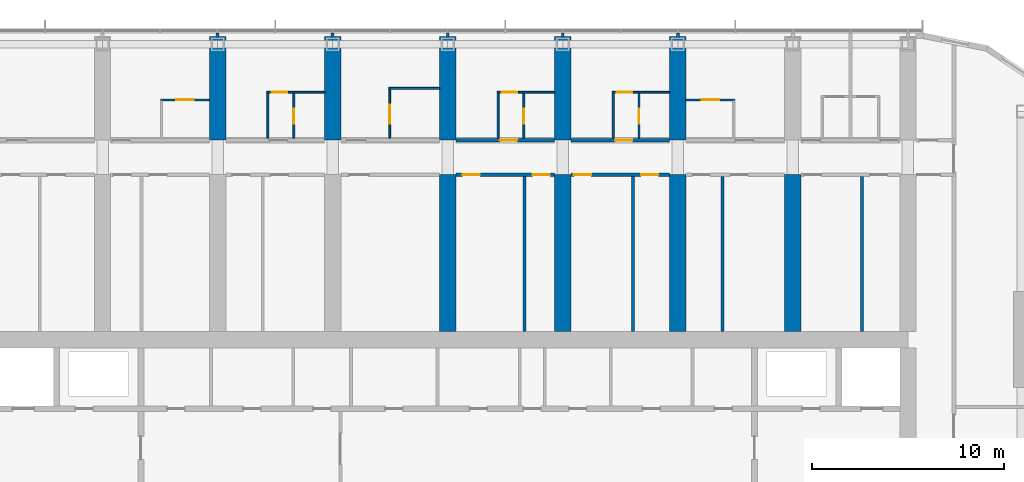
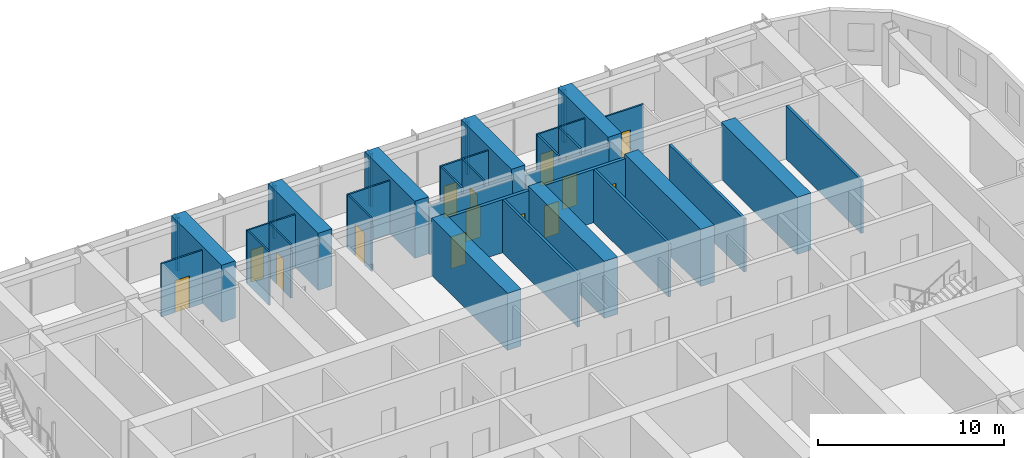
# One storey, part 20 of 29: 35 walls, 15 doors, 15 openings.
"""IFC4 building model written with IfcOpenShell, lengths in metres."""

from ifc_helpers import new_model, si_unit, direction, frame, frame_2d, origin, place, context, subcontext, project, spatial, polyline, rectangle, outline, extrude, material, layer, layer_set, type_object, element, fill, save


model = new_model("IFC4")

# Units and contexts
model_context = context("Model", 3, precision=1e-05, world=origin(), true_north=direction((0.0, 1.0)))
body_context = subcontext(model_context, "Body", "Model", "MODEL_VIEW")
ifc_project = project(units=[si_unit("LENGTHUNIT", "METRE"), si_unit("AREAUNIT", "SQUARE_METRE"), si_unit("VOLUMEUNIT", "CUBIC_METRE"), si_unit("PLANEANGLEUNIT", "RADIAN"), si_unit("MASSUNIT", "GRAM", prefix="KILO")], contexts=[model_context])

# Site, building, storey
site_placement = place(None, origin())
site = spatial("IfcSite", under=ifc_project, at=site_placement, CompositionType="ELEMENT")
building_placement = place(site_placement, origin())
building = spatial("IfcBuilding", under=site, at=building_placement, Name="Orbita Commons", CompositionType="ELEMENT")
storey_placement = place(building_placement, frame((0.0, 0.0, 163.60009765625)))
storey = spatial("IfcBuildingStorey", under=building, at=storey_placement, Name="L40", CompositionType="ELEMENT", Elevation=163.60009765625)

# Wall, opening, door
ifc_material_1 = material(Name="Concrete blockwork", Category="masonry")
ifc_layer_1 = layer(ifc_material_1, 0.199951171875)
ifc_layer_set_1 = layer_set([ifc_layer_1], Name="Concrete blockwork")
wall_type_1 = type_object("IfcWallType", Name="Corridor wall 200 blockwork", PredefinedType="SOLIDWALL", material=ifc_layer_set_1)
wall_1_placement = place(storey_placement, frame((42.425048828125, 48.60009765625, 0.0), z_axis=(0.0, 0.0, 1.0), x_axis=(1.0, 0.0, 0.0)))
wall_1 = element("IfcWall", 1, at=wall_1_placement, inside=storey, type_object=wall_type_1, Name="Corridor wall 200 blockwork L40", PredefinedType="SOLIDWALL", context=body_context, shape_type="SweptSolid", body=[
    extrude(outline(polyline([(0.0, 0.0), (5.14990234375, 0.0), (5.14990234375, 3.099853515625), (0.0, 3.099853515625), (0.0, 0.0)])), frame((0.0, 0.10009765625, 0.0), z_axis=(0.0, -1.0, 0.0), x_axis=(1.0, 0.0, 0.0)), (0.0, 0.0, 1.0), 0.199951171875),
])
opening_1_placement = place(wall_1_placement, frame((2.300048828125, 0.0, 0.0)))
opening_1 = element("IfcOpeningElement", 2, at=opening_1_placement, cuts=wall_1, Name="Opening D11", PredefinedType="OPENING", context=body_context, shape_type="SweptSolid", body=[
    extrude(rectangle(XDim=0.89990234375, YDim=2.10009765625, at=frame_2d((0.449951171875, 1.050048828125))), frame((0.0, 0.10986328125, 0.0), z_axis=(0.0, -1.0, 0.0), x_axis=(1.0, 0.0, 0.0)), (0.0, 0.0, 1.0), 0.219970703125),
])
ifc_material_2 = material(Name="Steel-faced fire door leaf", Category="steel")
door_type_1 = type_object("IfcDoorType", Name="Corridor door 20 min 900x2100", OperationType="SINGLE_SWING_LEFT", PredefinedType="DOOR", material=ifc_material_2)
door_1_placement = place(opening_1_placement, origin())
door_1 = element("IfcDoor", 3, at=door_1_placement, inside=storey, type_object=door_type_1, Name="Studio flat L40-N08 entrance door", OperationType="SINGLE_SWING_LEFT", OverallHeight=2.10009765625, OverallWidth=0.89990234375, PredefinedType="DOOR", context=body_context, shape_type="SweptSolid", body=[
    extrude(rectangle(XDim=0.89990234375, YDim=2.10009765625, at=frame_2d((0.449951171875, 1.050048828125))), frame((0.0, 0.02490234375, 0.0), z_axis=(0.0, -1.0, 0.0), x_axis=(1.0, 0.0, 0.0)), (0.0, 0.0, 1.0), 0.050048828125),
])
fill(opening_1, door_1)

wall_2_placement = place(storey_placement, frame((48.425048828125, 48.60009765625, 0.0), z_axis=(0.0, 0.0, 1.0), x_axis=(1.0, 0.0, 0.0)))
wall_2 = element("IfcWall", 4, at=wall_2_placement, inside=storey, type_object=wall_type_1, Name="Corridor wall 200 blockwork L40", PredefinedType="SOLIDWALL", context=body_context, shape_type="SweptSolid", body=[
    extrude(outline(polyline([(0.0, 0.0), (5.14990234375, 0.0), (5.14990234375, 3.099853515625), (0.0, 3.099853515625), (0.0, 0.0)])), frame((0.0, 0.10009765625, 0.0), z_axis=(0.0, -1.0, 0.0), x_axis=(1.0, 0.0, 0.0)), (0.0, 0.0, 1.0), 0.199951171875),
])
opening_2_placement = place(wall_2_placement, frame((2.300048828125, 0.0, 0.0)))
opening_2 = element("IfcOpeningElement", 5, at=opening_2_placement, cuts=wall_2, Name="Opening D11", PredefinedType="OPENING", context=body_context, shape_type="SweptSolid", body=[
    extrude(rectangle(XDim=0.89990234375, YDim=2.10009765625, at=frame_2d((0.449951171875, 1.050048828125))), frame((0.0, 0.10986328125, 0.0), z_axis=(0.0, -1.0, 0.0), x_axis=(1.0, 0.0, 0.0)), (0.0, 0.0, 1.0), 0.219970703125),
])
door_2_placement = place(opening_2_placement, origin())
door_2 = element("IfcDoor", 6, at=door_2_placement, inside=storey, type_object=door_type_1, Name="Studio flat L40-N10 entrance door", OperationType="SINGLE_SWING_LEFT", OverallHeight=2.10009765625, OverallWidth=0.89990234375, PredefinedType="DOOR", context=body_context, shape_type="SweptSolid", body=[
    extrude(rectangle(XDim=0.89990234375, YDim=2.10009765625, at=frame_2d((0.449951171875, 1.050048828125))), frame((0.0, 0.02490234375, 0.0), z_axis=(0.0, -1.0, 0.0), x_axis=(1.0, 0.0, 0.0)), (0.0, 0.0, 1.0), 0.050048828125),
])
fill(opening_2, door_2)

# Wall, openings, doors
ifc_material_3 = material(Name="Hollow concrete block 200", Category="concrete")
ifc_layer_2 = layer(ifc_material_3, 0.199951171875)
ifc_layer_set_2 = layer_set([ifc_layer_2], Name="Hollow concrete block 200")
wall_type_2 = type_object("IfcWallType", Name="Corridor wall 200 hollow concrete block", PredefinedType="SOLIDWALL", material=ifc_layer_set_2)
wall_3_placement = place(storey_placement, frame((42.425048828125, 46.800048828125, 0.0), z_axis=(0.0, 0.0, 1.0), x_axis=(1.0, 0.0, 0.0)))
wall_3 = element("IfcWall", 7, at=wall_3_placement, inside=storey, type_object=wall_type_2, Name="Corridor wall 200 hollow concrete block L40", PredefinedType="SOLIDWALL", context=body_context, shape_type="SweptSolid", body=[
    extrude(rectangle(XDim=5.14990234375, YDim=0.199951171875, at=frame_2d((2.574951171875, 0.0))), origin(), (0.0, 0.0, 1.0), 3.5),
])
opening_3_placement = place(wall_3_placement, frame((0.35009765625, 0.0, 0.0)))
opening_3 = element("IfcOpeningElement", 8, at=opening_3_placement, cuts=wall_3, Name="Opening D11", PredefinedType="OPENING", context=body_context, shape_type="SweptSolid", body=[
    extrude(rectangle(XDim=0.89990234375, YDim=2.10009765625, at=frame_2d((0.449951171875, 1.050048828125))), frame((0.0, 0.10986328125, 0.0), z_axis=(0.0, -1.0, 0.0), x_axis=(1.0, 0.0, 0.0)), (0.0, 0.0, 1.0), 0.219970703125),
])
opening_4_placement = place(wall_3_placement, frame((4.0048828125, 0.0, 0.0)))
opening_4 = element("IfcOpeningElement", 9, at=opening_4_placement, cuts=wall_3, Name="Opening D11", PredefinedType="OPENING", context=body_context, shape_type="SweptSolid", body=[
    extrude(rectangle(XDim=0.89990234375, YDim=2.10009765625, at=frame_2d((0.449951171875, 1.050048828125))), frame((0.0, 0.10986328125, 0.0), z_axis=(0.0, -1.0, 0.0), x_axis=(1.0, 0.0, 0.0)), (0.0, 0.0, 1.0), 0.219970703125),
])
door_3_placement = place(opening_3_placement, origin())
door_3 = element("IfcDoor", 10, at=door_3_placement, inside=storey, type_object=door_type_1, Name="Parcel and post room L40-BDN42 door", OperationType="SINGLE_SWING_LEFT", OverallHeight=2.10009765625, OverallWidth=0.89990234375, PredefinedType="DOOR", context=body_context, shape_type="SweptSolid", body=[
    extrude(rectangle(XDim=0.89990234375, YDim=2.10009765625, at=frame_2d((0.449951171875, 1.050048828125))), frame((0.0, 0.02490234375, 0.0), z_axis=(0.0, -1.0, 0.0), x_axis=(1.0, 0.0, 0.0)), (0.0, 0.0, 1.0), 0.050048828125),
])
fill(opening_3, door_3)
door_4_placement = place(opening_4_placement, origin())
door_4 = element("IfcDoor", 11, at=door_4_placement, inside=storey, type_object=door_type_1, Name="Riser access cupboard L40-BDN42n door", OperationType="SINGLE_SWING_LEFT", OverallHeight=2.10009765625, OverallWidth=0.89990234375, PredefinedType="DOOR", context=body_context, shape_type="SweptSolid", body=[
    extrude(rectangle(XDim=0.89990234375, YDim=2.10009765625, at=frame_2d((0.449951171875, 1.050048828125))), frame((0.0, 0.02490234375, 0.0), z_axis=(0.0, -1.0, 0.0), x_axis=(1.0, 0.0, 0.0)), (0.0, 0.0, 1.0), 0.050048828125),
])
fill(opening_4, door_4)

wall_4_placement = place(storey_placement, frame((48.425048828125, 46.800048828125, 0.0), z_axis=(0.0, 0.0, 1.0), x_axis=(1.0, 0.0, 0.0)))
wall_4 = element("IfcWall", 12, at=wall_4_placement, inside=storey, type_object=wall_type_2, Name="Corridor wall 200 hollow concrete block L40", PredefinedType="SOLIDWALL", context=body_context, shape_type="SweptSolid", body=[
    extrude(rectangle(XDim=5.14990234375, YDim=0.199951171875, at=frame_2d((2.574951171875, 0.0))), origin(), (0.0, 0.0, 1.0), 3.5),
])
opening_5_placement = place(wall_4_placement, frame((0.14990234375, 0.0, 0.0)))
opening_5 = element("IfcOpeningElement", 13, at=opening_5_placement, cuts=wall_4, Name="Opening D11", PredefinedType="OPENING", context=body_context, shape_type="SweptSolid", body=[
    extrude(rectangle(XDim=0.89990234375, YDim=2.10009765625, at=frame_2d((0.449951171875, 1.050048828125))), frame((0.0, 0.10986328125, 0.0), z_axis=(0.0, -1.0, 0.0), x_axis=(1.0, 0.0, 0.0)), (0.0, 0.0, 1.0), 0.219970703125),
])
opening_6_placement = place(wall_4_placement, frame((3.655029296875, 0.0, 0.0)))
opening_6 = element("IfcOpeningElement", 14, at=opening_6_placement, cuts=wall_4, Name="Opening D11", PredefinedType="OPENING", context=body_context, shape_type="SweptSolid", body=[
    extrude(rectangle(XDim=0.89990234375, YDim=2.10009765625, at=frame_2d((0.449951171875, 1.050048828125))), frame((0.0, 0.10986328125, 0.0), z_axis=(0.0, -1.0, 0.0), x_axis=(1.0, 0.0, 0.0)), (0.0, 0.0, 1.0), 0.219970703125),
])
door_5_placement = place(opening_5_placement, origin())
door_5 = element("IfcDoor", 15, at=door_5_placement, inside=storey, type_object=door_type_1, Name="Drying room L40-BDN48 door", OperationType="SINGLE_SWING_LEFT", OverallHeight=2.10009765625, OverallWidth=0.89990234375, PredefinedType="DOOR", context=body_context, shape_type="SweptSolid", body=[
    extrude(rectangle(XDim=0.89990234375, YDim=2.10009765625, at=frame_2d((0.449951171875, 1.050048828125))), frame((0.0, 0.02490234375, 0.0), z_axis=(0.0, -1.0, 0.0), x_axis=(1.0, 0.0, 0.0)), (0.0, 0.0, 1.0), 0.050048828125),
])
fill(opening_5, door_5)
door_6_placement = place(opening_6_placement, origin())
door_6 = element("IfcDoor", 16, at=door_6_placement, inside=storey, type_object=door_type_1, Name="Water heater cupboard L40-BDN48n door", OperationType="SINGLE_SWING_LEFT", OverallHeight=2.10009765625, OverallWidth=0.89990234375, PredefinedType="DOOR", context=body_context, shape_type="SweptSolid", body=[
    extrude(rectangle(XDim=0.89990234375, YDim=2.10009765625, at=frame_2d((0.449951171875, 1.050048828125))), frame((0.0, 0.02490234375, 0.0), z_axis=(0.0, -1.0, 0.0), x_axis=(1.0, 0.0, 0.0)), (0.0, 0.0, 1.0), 0.050048828125),
])
fill(opening_6, door_6)

# Walls
ifc_material_4 = material(Name="Concrete C50/60", Category="concrete")
ifc_layer_3 = layer(ifc_material_4, 0.85009765625)
ifc_layer_set_3 = layer_set([ifc_layer_3], Name="Concrete C50/60")
wall_type_3 = type_object("IfcWallType", Name="Cross wall 850 C50/60", PredefinedType="SHEAR", material=ifc_layer_set_3)
for number, where, z_axis, x_axis, name in (
    (17, (30.0, 48.60009765625, 0.0), (0.0, 0.0, 1.0), (0.0, 1.0, 0.0), "Cross wall 6 north outer L40"),
    (18, (36.0, 48.60009765625, 0.0), (0.0, 0.0, 1.0), (0.0, 1.0, 0.0), "Cross wall 7 north outer L40"),
    (19, (42.0, 48.60009765625, 0.0), (0.0, 0.0, 1.0), (0.0, 1.0, 0.0), "Cross wall 8 north outer L40"),
):
    element("IfcWall", number, at=place(storey_placement, frame(where, z_axis=z_axis, x_axis=x_axis)), inside=storey, type_object=wall_type_3, Name=name, PredefinedType="SHEAR", context=body_context, shape_type="SweptSolid", body=[
        extrude(rectangle(XDim=5.39990234375, YDim=0.85009765625, at=frame_2d((2.699951171875, 0.0))), origin(), (0.0, 0.0, 1.0), 3.75),
    ])
wall_5_placement = place(storey_placement, frame((42.0, 38.625, 0.0), z_axis=(0.0, 0.0, 1.0), x_axis=(0.0, 1.0, 0.0)))
element("IfcWall", 20, at=wall_5_placement, inside=storey, type_object=wall_type_3, Name="Cross wall 8 north inner L40", PredefinedType="SHEAR", context=body_context, shape_type="SweptSolid", body=[
    extrude(rectangle(XDim=8.175048828125, YDim=0.85009765625, at=frame_2d((4.08740234375, 0.0))), origin(), (0.0, 0.0, 1.0), 3.75),
])
wall_6_placement = place(storey_placement, frame((48.0, 48.60009765625, 0.0), z_axis=(0.0, 0.0, 1.0), x_axis=(0.0, 1.0, 0.0)))
element("IfcWall", 21, at=wall_6_placement, inside=storey, type_object=wall_type_3, Name="Cross wall 9 north outer L40", PredefinedType="SHEAR", context=body_context, shape_type="SweptSolid", body=[
    extrude(rectangle(XDim=5.39990234375, YDim=0.85009765625, at=frame_2d((2.699951171875, 0.0))), origin(), (0.0, 0.0, 1.0), 3.75),
])
wall_7_placement = place(storey_placement, frame((48.0, 38.625, 0.0), z_axis=(0.0, 0.0, 1.0), x_axis=(0.0, 1.0, 0.0)))
element("IfcWall", 22, at=wall_7_placement, inside=storey, type_object=wall_type_3, Name="Cross wall 9 north inner L40", PredefinedType="SHEAR", context=body_context, shape_type="SweptSolid", body=[
    extrude(rectangle(XDim=8.175048828125, YDim=0.85009765625, at=frame_2d((4.08740234375, 0.0))), origin(), (0.0, 0.0, 1.0), 3.75),
])
wall_8_placement = place(storey_placement, frame((54.0, 48.60009765625, 0.0), z_axis=(0.0, 0.0, 1.0), x_axis=(0.0, 1.0, 0.0)))
element("IfcWall", 23, at=wall_8_placement, inside=storey, type_object=wall_type_3, Name="Cross wall 10 north outer L40", PredefinedType="SHEAR", context=body_context, shape_type="SweptSolid", body=[
    extrude(rectangle(XDim=5.39990234375, YDim=0.85009765625, at=frame_2d((2.699951171875, 0.0))), origin(), (0.0, 0.0, 1.0), 3.75),
])
for number, where, z_axis, x_axis, name in (
    (24, (54.0, 38.625, 0.0), (0.0, 0.0, 1.0), (0.0, 1.0, 0.0), "Cross wall 10 north inner L40"),
    (25, (60.0, 38.625, 0.0), (0.0, 0.0, 1.0), (0.0, 1.0, 0.0), "Cross wall 11 north inner L40"),
):
    element("IfcWall", number, at=place(storey_placement, frame(where, z_axis=z_axis, x_axis=x_axis)), inside=storey, type_object=wall_type_3, Name=name, PredefinedType="SHEAR", context=body_context, shape_type="SweptSolid", body=[
        extrude(rectangle(XDim=8.175048828125, YDim=0.85009765625, at=frame_2d((4.08740234375, 0.0))), origin(), (0.0, 0.0, 1.0), 3.75),
    ])

# Wall, opening, door
ifc_material_5 = material(Name="Moisture-resistant plasterboard on steel studs", Category="steel")
ifc_layer_4 = layer(ifc_material_5, 0.10009765625)
ifc_layer_set_4 = layer_set([ifc_layer_4], Name="Moisture-resistant plasterboard on steel studs")
wall_type_4 = type_object("IfcWallType", Name="En-suite partition 100", PredefinedType="PARTITIONING", material=ifc_layer_set_4)
wall_9_placement = place(storey_placement, frame((27.02490234375, 50.699951171875, 0.0), z_axis=(0.0, 0.0, 1.0), x_axis=(1.0, 0.0, 0.0)))
wall_9 = element("IfcWall", 26, at=wall_9_placement, inside=storey, type_object=wall_type_4, Name="En-suite partition 100 L40", PredefinedType="PARTITIONING", context=body_context, shape_type="SweptSolid", body=[
    extrude(rectangle(XDim=2.550048828125, YDim=0.10009765625, at=frame_2d((1.27490234375, 0.0))), origin(), (0.0, 0.0, 1.0), 3.5),
])
opening_7_placement = place(wall_9_placement, frame((0.824951171875, 0.0, 0.0)))
opening_7 = element("IfcOpeningElement", 27, at=opening_7_placement, cuts=wall_9, Name="Opening D09", PredefinedType="OPENING", context=body_context, shape_type="SweptSolid", body=[
    extrude(rectangle(XDim=0.89990234375, YDim=2.10009765625, at=frame_2d((0.449951171875, 1.050048828125))), frame((0.0, 0.06005859375, 0.0), z_axis=(0.0, -1.0, 0.0), x_axis=(1.0, 0.0, 0.0)), (0.0, 0.0, 1.0), 0.1201171875),
])
ifc_material_6 = material(Name="Laminated timber door leaf", Category="wood")
door_type_2 = type_object("IfcDoorType", Name="En-suite door 900x2100", OperationType="SINGLE_SWING_RIGHT", PredefinedType="DOOR", material=ifc_material_6)
door_7_placement = place(opening_7_placement, origin())
door_7 = element("IfcDoor", 28, at=door_7_placement, inside=storey, type_object=door_type_2, Name="En-suite L40-N02 door", OperationType="SINGLE_SWING_RIGHT", OverallHeight=2.10009765625, OverallWidth=0.89990234375, PredefinedType="DOOR", context=body_context, shape_type="SweptSolid", body=[
    extrude(rectangle(XDim=0.89990234375, YDim=2.10009765625, at=frame_2d((0.449951171875, 1.050048828125))), frame((0.0, 0.02490234375, 0.0), z_axis=(0.0, -1.0, 0.0), x_axis=(1.0, 0.0, 0.0)), (0.0, 0.0, 1.0), 0.050048828125),
])
fill(opening_7, door_7)

wall_10_placement = place(storey_placement, frame((32.574951171875, 51.10009765625, 0.0), z_axis=(0.0, 0.0, 1.0), x_axis=(1.0, 0.0, 0.0)))
wall_10 = element("IfcWall", 29, at=wall_10_placement, inside=storey, type_object=wall_type_4, Name="En-suite partition 100 L40", PredefinedType="PARTITIONING", context=body_context, shape_type="SweptSolid", body=[
    extrude(rectangle(XDim=3.0, YDim=0.10009765625, at=frame_2d((1.5, 0.0))), origin(), (0.0, 0.0, 1.0), 3.5),
])
opening_8_placement = place(wall_10_placement, frame((0.25, 0.0, 0.0)))
opening_8 = element("IfcOpeningElement", 30, at=opening_8_placement, cuts=wall_10, Name="Opening D16", PredefinedType="OPENING", context=body_context, shape_type="SweptSolid", body=[
    extrude(rectangle(XDim=0.800048828125, YDim=2.10009765625, at=frame_2d((0.39990234375, 1.050048828125))), frame((0.0, 0.06005859375, 0.0), z_axis=(0.0, -1.0, 0.0), x_axis=(1.0, 0.0, 0.0)), (0.0, 0.0, 1.0), 0.1201171875),
])
ifc_material_7 = material(Name="Laminated timber door leaf", Category="wood")
door_type_3 = type_object("IfcDoorType", Name="En-suite door 800x2100", OperationType="SINGLE_SWING_RIGHT", PredefinedType="DOOR", material=ifc_material_7)
door_8_placement = place(opening_8_placement, origin())
door_8 = element("IfcDoor", 31, at=door_8_placement, inside=storey, type_object=door_type_3, Name="Studio flat L40-N04 door", OperationType="SINGLE_SWING_RIGHT", OverallHeight=2.10009765625, OverallWidth=0.800048828125, PredefinedType="DOOR", context=body_context, shape_type="SweptSolid", body=[
    extrude(rectangle(XDim=0.800048828125, YDim=2.10009765625, at=frame_2d((0.39990234375, 1.050048828125))), frame((0.0, 0.02490234375, 0.0), z_axis=(0.0, -1.0, 0.0), x_axis=(1.0, 0.0, 0.0)), (0.0, 0.0, 1.0), 0.050048828125),
])
fill(opening_8, door_8)

# Wall
wall_11_placement = place(storey_placement, frame((32.625, 51.050048828125, 0.0), z_axis=(0.0, 0.0, 1.0), x_axis=(0.0, -1.0, 0.0)))
element("IfcWall", 32, at=wall_11_placement, inside=storey, type_object=wall_type_4, Name="En-suite partition 100 L40", PredefinedType="PARTITIONING", context=body_context, shape_type="SweptSolid", body=[
    extrude(outline(polyline([(0.0, 0.0), (2.35009765625, 0.0), (2.35009765625, 3.099853515625), (2.302001953125, 3.099853515625), (2.300048828125, 3.5), (0.0, 3.5), (0.0, 0.0)])), frame((0.0, 0.050048828125, 0.0), z_axis=(0.0, -1.0, 0.0), x_axis=(1.0, 0.0, 0.0)), (0.0, 0.0, 1.0), 0.10009765625),
])

# Wall, opening, door
wall_12_placement = place(storey_placement, frame((33.97509765625, 51.050048828125, 0.0), z_axis=(0.0, 0.0, 1.0), x_axis=(0.0, -1.0, 0.0)))
wall_12 = element("IfcWall", 33, at=wall_12_placement, inside=storey, type_object=wall_type_4, Name="En-suite partition 100 L40", PredefinedType="PARTITIONING", context=body_context, shape_type="SweptSolid", body=[
    extrude(outline(polyline([(0.0, 0.0), (2.35009765625, 0.0), (2.35009765625, 3.099853515625), (2.302001953125, 3.099853515625), (2.300048828125, 3.5), (0.0, 3.5), (0.0, 0.0)])), frame((0.0, 0.050048828125, 0.0), z_axis=(0.0, -1.0, 0.0), x_axis=(1.0, 0.0, 0.0)), (0.0, 0.0, 1.0), 0.10009765625),
])
opening_9_placement = place(wall_12_placement, frame((0.800048828125, 0.0, 0.0)))
opening_9 = element("IfcOpeningElement", 34, at=opening_9_placement, cuts=wall_12, Name="Opening D16", PredefinedType="OPENING", context=body_context, shape_type="SweptSolid", body=[
    extrude(rectangle(XDim=0.800048828125, YDim=2.10009765625, at=frame_2d((0.39990234375, 1.050048828125))), frame((0.0, 0.06005859375, 0.0), z_axis=(0.0, -1.0, 0.0), x_axis=(1.0, 0.0, 0.0)), (0.0, 0.0, 1.0), 0.1201171875),
])
door_9_placement = place(opening_9_placement, origin())
door_9 = element("IfcDoor", 35, at=door_9_placement, inside=storey, type_object=door_type_3, Name="Studio flat shower room L40-N04 door", OperationType="SINGLE_SWING_RIGHT", OverallHeight=2.10009765625, OverallWidth=0.800048828125, PredefinedType="DOOR", context=body_context, shape_type="SweptSolid", body=[
    extrude(rectangle(XDim=0.800048828125, YDim=2.10009765625, at=frame_2d((0.39990234375, 1.050048828125))), frame((0.0, 0.02490234375, 0.0), z_axis=(0.0, -1.0, 0.0), x_axis=(1.0, 0.0, 0.0)), (0.0, 0.0, 1.0), 0.050048828125),
])
fill(opening_9, door_9)

# Wall
wall_13_placement = place(storey_placement, frame((38.925048828125, 51.300048828125, 0.0), z_axis=(0.0, 0.0, 1.0), x_axis=(1.0, 0.0, 0.0)))
element("IfcWall", 36, at=wall_13_placement, inside=storey, type_object=wall_type_4, Name="En-suite partition 100 L40", PredefinedType="PARTITIONING", context=body_context, shape_type="SweptSolid", body=[
    extrude(rectangle(XDim=2.64990234375, YDim=0.10009765625, at=frame_2d((1.324951171875, 0.0))), origin(), (0.0, 0.0, 1.0), 3.5),
])

# Wall, opening, door
wall_14_placement = place(storey_placement, frame((38.97509765625, 51.25, 0.0), z_axis=(0.0, 0.0, 1.0), x_axis=(0.0, -1.0, 0.0)))
wall_14 = element("IfcWall", 37, at=wall_14_placement, inside=storey, type_object=wall_type_4, Name="En-suite partition 100 L40", PredefinedType="PARTITIONING", context=body_context, shape_type="SweptSolid", body=[
    extrude(outline(polyline([(0.0, 0.0), (2.550048828125, 0.0), (2.550048828125, 3.099853515625), (2.501953125, 3.099853515625), (2.5, 3.5), (0.0, 3.5), (0.0, 0.0)])), frame((0.0, 0.050048828125, 0.0), z_axis=(0.0, -1.0, 0.0), x_axis=(1.0, 0.0, 0.0)), (0.0, 0.0, 1.0), 0.10009765625),
])
opening_10_placement = place(wall_14_placement, frame((0.800048828125, 0.0, 0.0)))
opening_10 = element("IfcOpeningElement", 38, at=opening_10_placement, cuts=wall_14, Name="Opening D13", PredefinedType="OPENING", context=body_context, shape_type="SweptSolid", body=[
    extrude(rectangle(XDim=1.0, YDim=2.10009765625, at=frame_2d((0.5, 1.050048828125))), frame((0.0, 0.06005859375, 0.0), z_axis=(0.0, -1.0, 0.0), x_axis=(1.0, 0.0, 0.0)), (0.0, 0.0, 1.0), 0.1201171875),
])
ifc_material_8 = material(Name="Laminated timber door leaf", Category="wood")
door_type_4 = type_object("IfcDoorType", Name="En-suite door 1000x2100", OperationType="SINGLE_SWING_RIGHT", PredefinedType="DOOR", material=ifc_material_8)
door_10_placement = place(opening_10_placement, origin())
door_10 = element("IfcDoor", 39, at=door_10_placement, inside=storey, type_object=door_type_4, Name="Accessible shower room L40-N06 door", OperationType="SINGLE_SWING_RIGHT", OverallHeight=2.10009765625, OverallWidth=1.0, PredefinedType="DOOR", context=body_context, shape_type="SweptSolid", body=[
    extrude(rectangle(XDim=1.0, YDim=2.10009765625, at=frame_2d((0.5, 1.050048828125))), frame((0.0, 0.02490234375, 0.0), z_axis=(0.0, -1.0, 0.0), x_axis=(1.0, 0.0, 0.0)), (0.0, 0.0, 1.0), 0.050048828125),
])
fill(opening_10, door_10)

wall_15_placement = place(storey_placement, frame((44.574951171875, 51.10009765625, 0.0), z_axis=(0.0, 0.0, 1.0), x_axis=(1.0, 0.0, 0.0)))
wall_15 = element("IfcWall", 40, at=wall_15_placement, inside=storey, type_object=wall_type_4, Name="En-suite partition 100 L40", PredefinedType="PARTITIONING", context=body_context, shape_type="SweptSolid", body=[
    extrude(rectangle(XDim=3.0, YDim=0.10009765625, at=frame_2d((1.5, 0.0))), origin(), (0.0, 0.0, 1.0), 3.5),
])
opening_11_placement = place(wall_15_placement, frame((0.25, 0.0, 0.0)))
opening_11 = element("IfcOpeningElement", 41, at=opening_11_placement, cuts=wall_15, Name="Opening D16", PredefinedType="OPENING", context=body_context, shape_type="SweptSolid", body=[
    extrude(rectangle(XDim=0.800048828125, YDim=2.10009765625, at=frame_2d((0.39990234375, 1.050048828125))), frame((0.0, 0.06005859375, 0.0), z_axis=(0.0, -1.0, 0.0), x_axis=(1.0, 0.0, 0.0)), (0.0, 0.0, 1.0), 0.1201171875),
])
door_11_placement = place(opening_11_placement, origin())
door_11 = element("IfcDoor", 42, at=door_11_placement, inside=storey, type_object=door_type_3, Name="Studio flat L40-N08 door", OperationType="SINGLE_SWING_RIGHT", OverallHeight=2.10009765625, OverallWidth=0.800048828125, PredefinedType="DOOR", context=body_context, shape_type="SweptSolid", body=[
    extrude(rectangle(XDim=0.800048828125, YDim=2.10009765625, at=frame_2d((0.39990234375, 1.050048828125))), frame((0.0, 0.02490234375, 0.0), z_axis=(0.0, -1.0, 0.0), x_axis=(1.0, 0.0, 0.0)), (0.0, 0.0, 1.0), 0.050048828125),
])
fill(opening_11, door_11)

# Wall
wall_16_placement = place(storey_placement, frame((44.625, 51.050048828125, 0.0), z_axis=(0.0, 0.0, 1.0), x_axis=(0.0, -1.0, 0.0)))
element("IfcWall", 43, at=wall_16_placement, inside=storey, type_object=wall_type_4, Name="En-suite partition 100 L40", PredefinedType="PARTITIONING", context=body_context, shape_type="SweptSolid", body=[
    extrude(outline(polyline([(0.0, 0.0), (2.35009765625, 0.0), (2.35009765625, 3.099853515625), (2.302001953125, 3.099853515625), (2.300048828125, 3.5), (0.0, 3.5), (0.0, 0.0)])), frame((0.0, 0.050048828125, 0.0), z_axis=(0.0, -1.0, 0.0), x_axis=(1.0, 0.0, 0.0)), (0.0, 0.0, 1.0), 0.10009765625),
])

# Wall, opening, door
wall_17_placement = place(storey_placement, frame((45.97509765625, 51.050048828125, 0.0), z_axis=(0.0, 0.0, 1.0), x_axis=(0.0, -1.0, 0.0)))
wall_17 = element("IfcWall", 44, at=wall_17_placement, inside=storey, type_object=wall_type_4, Name="En-suite partition 100 L40", PredefinedType="PARTITIONING", context=body_context, shape_type="SweptSolid", body=[
    extrude(outline(polyline([(0.0, 0.0), (2.35009765625, 0.0), (2.35009765625, 3.099853515625), (2.302001953125, 3.099853515625), (2.300048828125, 3.5), (0.0, 3.5), (0.0, 0.0)])), frame((0.0, 0.050048828125, 0.0), z_axis=(0.0, -1.0, 0.0), x_axis=(1.0, 0.0, 0.0)), (0.0, 0.0, 1.0), 0.10009765625),
])
opening_12_placement = place(wall_17_placement, frame((0.800048828125, 0.0, 0.0)))
opening_12 = element("IfcOpeningElement", 45, at=opening_12_placement, cuts=wall_17, Name="Opening D16", PredefinedType="OPENING", context=body_context, shape_type="SweptSolid", body=[
    extrude(rectangle(XDim=0.800048828125, YDim=2.10009765625, at=frame_2d((0.39990234375, 1.050048828125))), frame((0.0, 0.06005859375, 0.0), z_axis=(0.0, -1.0, 0.0), x_axis=(1.0, 0.0, 0.0)), (0.0, 0.0, 1.0), 0.1201171875),
])
door_12_placement = place(opening_12_placement, origin())
door_12 = element("IfcDoor", 46, at=door_12_placement, inside=storey, type_object=door_type_3, Name="Studio flat shower room L40-N08 door", OperationType="SINGLE_SWING_RIGHT", OverallHeight=2.10009765625, OverallWidth=0.800048828125, PredefinedType="DOOR", context=body_context, shape_type="SweptSolid", body=[
    extrude(rectangle(XDim=0.800048828125, YDim=2.10009765625, at=frame_2d((0.39990234375, 1.050048828125))), frame((0.0, 0.02490234375, 0.0), z_axis=(0.0, -1.0, 0.0), x_axis=(1.0, 0.0, 0.0)), (0.0, 0.0, 1.0), 0.050048828125),
])
fill(opening_12, door_12)

wall_18_placement = place(storey_placement, frame((50.574951171875, 51.10009765625, 0.0), z_axis=(0.0, 0.0, 1.0), x_axis=(1.0, 0.0, 0.0)))
wall_18 = element("IfcWall", 47, at=wall_18_placement, inside=storey, type_object=wall_type_4, Name="En-suite partition 100 L40", PredefinedType="PARTITIONING", context=body_context, shape_type="SweptSolid", body=[
    extrude(rectangle(XDim=3.0, YDim=0.10009765625, at=frame_2d((1.5, 0.0))), origin(), (0.0, 0.0, 1.0), 3.5),
])
opening_13_placement = place(wall_18_placement, frame((0.25, 0.0, 0.0)))
opening_13 = element("IfcOpeningElement", 48, at=opening_13_placement, cuts=wall_18, Name="Opening D16", PredefinedType="OPENING", context=body_context, shape_type="SweptSolid", body=[
    extrude(rectangle(XDim=0.800048828125, YDim=2.10009765625, at=frame_2d((0.39990234375, 1.050048828125))), frame((0.0, 0.06005859375, 0.0), z_axis=(0.0, -1.0, 0.0), x_axis=(1.0, 0.0, 0.0)), (0.0, 0.0, 1.0), 0.1201171875),
])
door_13_placement = place(opening_13_placement, origin())
door_13 = element("IfcDoor", 49, at=door_13_placement, inside=storey, type_object=door_type_3, Name="Studio flat L40-N10 door", OperationType="SINGLE_SWING_RIGHT", OverallHeight=2.10009765625, OverallWidth=0.800048828125, PredefinedType="DOOR", context=body_context, shape_type="SweptSolid", body=[
    extrude(rectangle(XDim=0.800048828125, YDim=2.10009765625, at=frame_2d((0.39990234375, 1.050048828125))), frame((0.0, 0.02490234375, 0.0), z_axis=(0.0, -1.0, 0.0), x_axis=(1.0, 0.0, 0.0)), (0.0, 0.0, 1.0), 0.050048828125),
])
fill(opening_13, door_13)

# Wall
wall_19_placement = place(storey_placement, frame((50.625, 51.050048828125, 0.0), z_axis=(0.0, 0.0, 1.0), x_axis=(0.0, -1.0, 0.0)))
element("IfcWall", 50, at=wall_19_placement, inside=storey, type_object=wall_type_4, Name="En-suite partition 100 L40", PredefinedType="PARTITIONING", context=body_context, shape_type="SweptSolid", body=[
    extrude(outline(polyline([(0.0, 0.0), (2.35009765625, 0.0), (2.35009765625, 3.099853515625), (2.302001953125, 3.099853515625), (2.300048828125, 3.5), (0.0, 3.5), (0.0, 0.0)])), frame((0.0, 0.050048828125, 0.0), z_axis=(0.0, -1.0, 0.0), x_axis=(1.0, 0.0, 0.0)), (0.0, 0.0, 1.0), 0.10009765625),
])

# Wall, opening, door
wall_20_placement = place(storey_placement, frame((51.97509765625, 51.050048828125, 0.0), z_axis=(0.0, 0.0, 1.0), x_axis=(0.0, -1.0, 0.0)))
wall_20 = element("IfcWall", 51, at=wall_20_placement, inside=storey, type_object=wall_type_4, Name="En-suite partition 100 L40", PredefinedType="PARTITIONING", context=body_context, shape_type="SweptSolid", body=[
    extrude(outline(polyline([(0.0, 0.0), (2.35009765625, 0.0), (2.35009765625, 3.099853515625), (2.302001953125, 3.099853515625), (2.300048828125, 3.5), (0.0, 3.5), (0.0, 0.0)])), frame((0.0, 0.050048828125, 0.0), z_axis=(0.0, -1.0, 0.0), x_axis=(1.0, 0.0, 0.0)), (0.0, 0.0, 1.0), 0.10009765625),
])
opening_14_placement = place(wall_20_placement, frame((0.800048828125, 0.0, 0.0)))
opening_14 = element("IfcOpeningElement", 52, at=opening_14_placement, cuts=wall_20, Name="Opening D16", PredefinedType="OPENING", context=body_context, shape_type="SweptSolid", body=[
    extrude(rectangle(XDim=0.800048828125, YDim=2.10009765625, at=frame_2d((0.39990234375, 1.050048828125))), frame((0.0, 0.06005859375, 0.0), z_axis=(0.0, -1.0, 0.0), x_axis=(1.0, 0.0, 0.0)), (0.0, 0.0, 1.0), 0.1201171875),
])
door_14_placement = place(opening_14_placement, origin())
door_14 = element("IfcDoor", 53, at=door_14_placement, inside=storey, type_object=door_type_3, Name="Studio flat shower room L40-N10 door", OperationType="SINGLE_SWING_RIGHT", OverallHeight=2.10009765625, OverallWidth=0.800048828125, PredefinedType="DOOR", context=body_context, shape_type="SweptSolid", body=[
    extrude(rectangle(XDim=0.800048828125, YDim=2.10009765625, at=frame_2d((0.39990234375, 1.050048828125))), frame((0.0, 0.02490234375, 0.0), z_axis=(0.0, -1.0, 0.0), x_axis=(1.0, 0.0, 0.0)), (0.0, 0.0, 1.0), 0.050048828125),
])
fill(opening_14, door_14)

wall_21_placement = place(storey_placement, frame((54.425048828125, 50.699951171875, 0.0), z_axis=(0.0, 0.0, 1.0), x_axis=(1.0, 0.0, 0.0)))
wall_21 = element("IfcWall", 54, at=wall_21_placement, inside=storey, type_object=wall_type_4, Name="En-suite partition 100 L40", PredefinedType="PARTITIONING", context=body_context, shape_type="SweptSolid", body=[
    extrude(rectangle(XDim=2.550048828125, YDim=0.10009765625, at=frame_2d((1.27490234375, 0.0))), origin(), (0.0, 0.0, 1.0), 3.5),
])
opening_15_placement = place(wall_21_placement, frame((0.824951171875, 0.0, 0.0)))
opening_15 = element("IfcOpeningElement", 55, at=opening_15_placement, cuts=wall_21, Name="Opening D09", PredefinedType="OPENING", context=body_context, shape_type="SweptSolid", body=[
    extrude(rectangle(XDim=0.89990234375, YDim=2.10009765625, at=frame_2d((0.449951171875, 1.050048828125))), frame((0.0, 0.06005859375, 0.0), z_axis=(0.0, -1.0, 0.0), x_axis=(1.0, 0.0, 0.0)), (0.0, 0.0, 1.0), 0.1201171875),
])
door_15_placement = place(opening_15_placement, origin())
door_15 = element("IfcDoor", 56, at=door_15_placement, inside=storey, type_object=door_type_2, Name="En-suite L40-N12 door", OperationType="SINGLE_SWING_RIGHT", OverallHeight=2.10009765625, OverallWidth=0.89990234375, PredefinedType="DOOR", context=body_context, shape_type="SweptSolid", body=[
    extrude(rectangle(XDim=0.89990234375, YDim=2.10009765625, at=frame_2d((0.449951171875, 1.050048828125))), frame((0.0, 0.02490234375, 0.0), z_axis=(0.0, -1.0, 0.0), x_axis=(1.0, 0.0, 0.0)), (0.0, 0.0, 1.0), 0.050048828125),
])
fill(opening_15, door_15)

# Walls
ifc_material_9 = material(Name="Gypsum plasterboard on steel studs", Category="steel")
ifc_layer_5 = layer(ifc_material_9, 0.14990234375)
ifc_layer_set_5 = layer_set([ifc_layer_5], Name="Gypsum plasterboard on steel studs")
wall_type_5 = type_object("IfcWallType", Name="Partition 150 plasterboard", PredefinedType="PARTITIONING", material=ifc_layer_set_5)
for number, where, z_axis, x_axis, name in (
    (57, (46.0048828125, 38.625, 0.0), (0.0, 0.0, 1.0), (0.0, 1.0, 0.0), "Partition 150 plasterboard L40"),
    (58, (51.655029296875, 38.625, 0.0), (0.0, 0.0, 1.0), (0.0, 1.0, 0.0), "Partition 150 plasterboard L40"),
    (59, (56.3349609375, 38.625, 0.0), (0.0, 0.0, 1.0), (0.0, 1.0, 0.0), "Partition 150 plasterboard L40"),
    (60, (63.60498046875, 38.625, 0.0), (0.0, 0.0, 1.0), (0.0, 1.0, 0.0), "Partition 150 plasterboard L40"),
):
    element("IfcWall", number, at=place(storey_placement, frame(where, z_axis=z_axis, x_axis=x_axis)), inside=storey, type_object=wall_type_5, Name=name, PredefinedType="PARTITIONING", context=body_context, shape_type="SweptSolid", body=[
        extrude(rectangle(XDim=8.074951171875, YDim=0.14990234375, at=frame_2d((4.03759765625, 0.0))), origin(), (0.0, 0.0, 1.0), 3.5),
    ])
for number, where, z_axis, x_axis, name in (
    (61, (30.0, 53.949951171875, 0.0), (0.0, 0.0, 1.0), (0.0, 1.0, 0.0), "Partition 150 plasterboard L40"),
    (62, (36.0, 53.949951171875, 0.0), (0.0, 0.0, 1.0), (0.0, 1.0, 0.0), "Partition 150 plasterboard L40"),
    (63, (42.0, 53.949951171875, 0.0), (0.0, 0.0, 1.0), (0.0, 1.0, 0.0), "Partition 150 plasterboard L40"),
    (64, (48.0, 53.949951171875, 0.0), (0.0, 0.0, 1.0), (0.0, 1.0, 0.0), "Partition 150 plasterboard L40"),
    (65, (54.0, 53.949951171875, 0.0), (0.0, 0.0, 1.0), (0.0, 1.0, 0.0), "Partition 150 plasterboard L40"),
):
    element("IfcWall", number, at=place(storey_placement, frame(where, z_axis=z_axis, x_axis=x_axis)), inside=storey, type_object=wall_type_5, Name=name, PredefinedType="PARTITIONING", context=body_context, shape_type="SweptSolid", body=[
        extrude(rectangle(XDim=0.239990234375, YDim=0.14990234375, at=frame_2d((0.1201171875, 0.0))), origin(), (0.0, 0.0, 1.0), 3.5),
    ])

save(model, "model.ifc")
